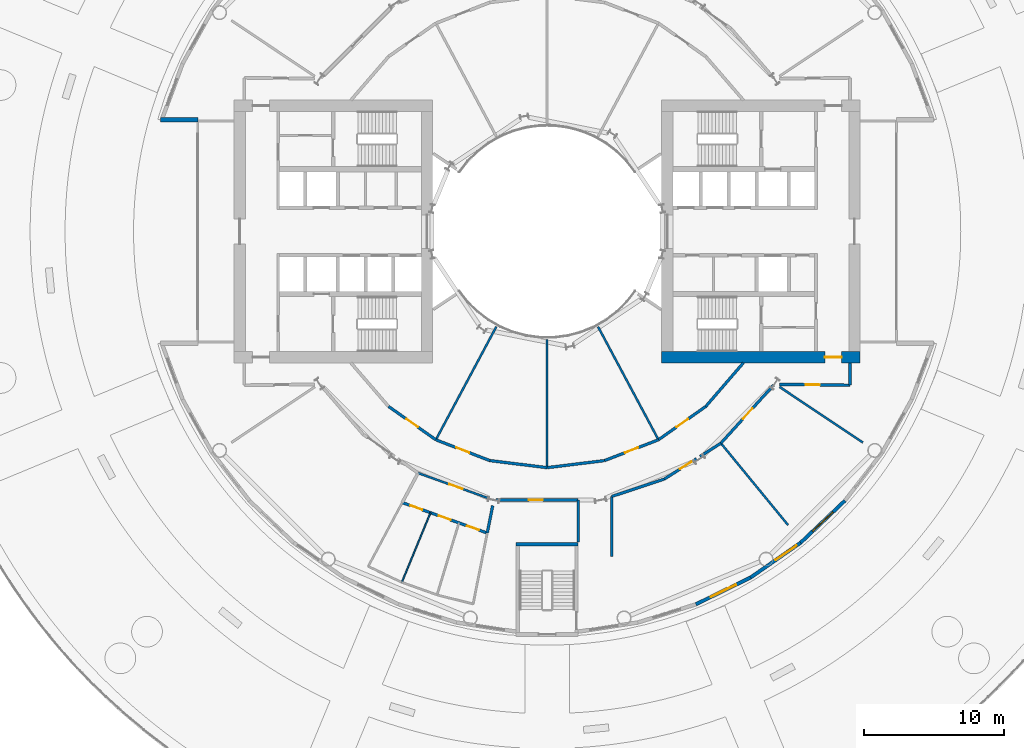
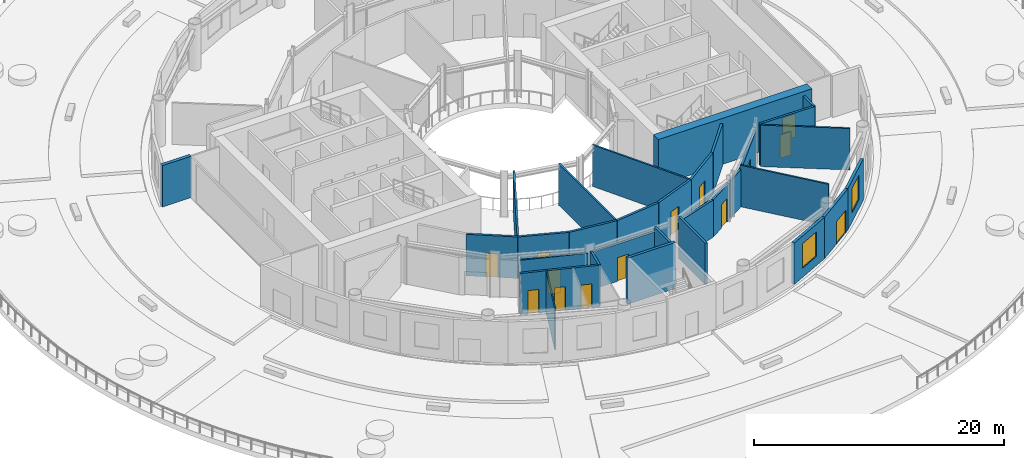
# One storey, part 11 of 19: 31 walls, 14 doors, 2 windows, 16 openings.
"""IFC4 building model written with IfcOpenShell, lengths in metres."""

from ifc_helpers import new_model, si_unit, direction, frame, frame_2d, origin, place, context, subcontext, project, spatial, rectangle, extrude, material, layer, layer_set, type_object, element, fill, save


model = new_model("IFC4")

# Units and contexts
model_context = context("Model", 3, precision=1e-05, world=origin(), true_north=direction((0.0, 1.0)))
body_context = subcontext(model_context, "Body", "Model", "MODEL_VIEW")
ifc_project = project(units=[si_unit("LENGTHUNIT", "METRE"), si_unit("AREAUNIT", "SQUARE_METRE"), si_unit("VOLUMEUNIT", "CUBIC_METRE"), si_unit("PLANEANGLEUNIT", "RADIAN"), si_unit("MASSUNIT", "GRAM", prefix="KILO")], contexts=[model_context])

# Site, building, storey
site_placement = place(None, origin())
site = spatial("IfcSite", under=ifc_project, at=site_placement, CompositionType="ELEMENT")
building_placement = place(site_placement, origin())
building = spatial("IfcBuilding", under=site, at=building_placement, Name="Maasbend Ring Residences", CompositionType="ELEMENT")
storey_placement = place(building_placement, frame((0.0, 0.0, 9.60009765625)))
storey = spatial("IfcBuildingStorey", under=building, at=storey_placement, Name="L02", CompositionType="ELEMENT", Elevation=9.60009765625)

# Wall
ifc_material_1 = material(Name="Concrete C70/85", Category="concrete")
ifc_layer_1 = layer(ifc_material_1, 0.25)
ifc_layer_set_1 = layer_set([ifc_layer_1], Name="Concrete C70/85")
wall_type_1 = type_object("IfcWallType", Name="CORE WALL 250 C70/85", PredefinedType="SHEAR", material=ifc_layer_set_1)
wall_1_placement = place(storey_placement, frame((-2.22509765625, -22.375, 0.0), z_axis=(0.0, 0.0, 1.0), x_axis=(1.0, 0.0, 0.0)))
element("IfcWall", 1, at=wall_1_placement, inside=storey, type_object=wall_type_1, Name="L02 ST-P3 enclosure wall WIN", PredefinedType="SHEAR", context=body_context, shape_type="SweptSolid", body=[
    extrude(rectangle(XDim=4.4501953125, YDim=0.25, at=frame_2d((2.22509765625, 0.0))), origin(), (0.0, 0.0, 1.0), 4.5),
])

# Wall, opening, door
ifc_material_2 = material(Name="Concrete C70/85", Category="concrete")
ifc_layer_2 = layer(ifc_material_2, 0.800048828125)
ifc_layer_set_2 = layer_set([ifc_layer_2], Name="Concrete C70/85")
wall_type_2 = type_object("IfcWallType", Name="CORE WALL 800 C70/85", PredefinedType="SHEAR", material=ifc_layer_set_2)
wall_2_placement = place(storey_placement, frame((8.199951171875, -9.0, 0.0), z_axis=(0.0, 0.0, 1.0), x_axis=(1.0, 0.0, 0.0)))
wall_2 = element("IfcWall", 2, at=wall_2_placement, inside=storey, type_object=wall_type_2, Name="L02 core E wall PS", PredefinedType="SHEAR", context=body_context, shape_type="SweptSolid", body=[
    extrude(rectangle(XDim=14.199951171875, YDim=0.800048828125, at=frame_2d((7.10009765625, 0.0))), origin(), (0.0, 0.0, 1.0), 4.5),
])
opening_1_placement = place(wall_2_placement, frame((11.675048828125, 0.0, 0.0)))
opening_1 = element("IfcOpeningElement", 3, at=opening_1_placement, cuts=wall_2, Name="Opening D-E0215", PredefinedType="OPENING", context=body_context, shape_type="SweptSolid", body=[
    extrude(rectangle(XDim=1.199951171875, YDim=2.300048828125, at=frame_2d((0.60009765625, 1.14990234375))), frame((0.0, 0.41015625, 0.0), z_axis=(0.0, -1.0, 0.0), x_axis=(1.0, 0.0, 0.0)), (0.0, 0.0, 1.0), 0.820068359375),
])
ifc_material_3 = material(Name="Steel, powder coated", Category="steel")
door_type_1 = type_object("IfcDoorType", Name="CORRIDOR DOOR 1200 X 2300 FD30S", OperationType="NOTDEFINED", PredefinedType="DOOR", material=ifc_material_3)
door_1_placement = place(opening_1_placement, origin())
door_1 = element("IfcDoor", 4, at=door_1_placement, inside=storey, type_object=door_type_1, Name="Corridor door L02", OperationType="SINGLE_SWING_LEFT", OverallHeight=2.300048828125, OverallWidth=1.199951171875, PredefinedType="DOOR", context=body_context, shape_type="SweptSolid", body=[
    extrude(rectangle(XDim=1.199951171875, YDim=2.300048828125, at=frame_2d((0.60009765625, 1.14990234375))), frame((0.0, 0.02490234375, 0.0), z_axis=(0.0, -1.0, 0.0), x_axis=(1.0, 0.0, 0.0)), (0.0, 0.0, 1.0), 0.050048828125),
])
fill(opening_1, door_1)

# Wall, openings, doors
ifc_material_4 = material(Name="Concrete C30/37", Category="concrete")
ifc_layer_3 = layer(ifc_material_4, 0.199951171875)
ifc_layer_set_3 = layer_set([ifc_layer_3], Name="Concrete C30/37")
wall_type_3 = type_object("IfcWallType", Name="CORRIDOR WALL 200 CONCRETE", PredefinedType="PARTITIONING", material=ifc_layer_set_3)
wall_3_placement = place(storey_placement, frame((-10.373046875, -19.40087890625, 0.0), z_axis=(0.0, 0.0, 1.0), x_axis=(0.941534771306, -0.336915826909, 0.0)))
wall_3 = element("IfcWall", 5, at=wall_3_placement, inside=storey, type_object=wall_type_3, Name="U-L02-w001", PredefinedType="PARTITIONING", context=body_context, shape_type="SweptSolid", body=[
    extrude(rectangle(XDim=6.458740234375, YDim=0.199951171875, at=frame_2d((3.2294921875, 0.0))), origin(), (0.0, 0.0, 1.0), 4.0498046875),
])
opening_2_placement = place(wall_3_placement, frame((0.626953125, 0.0, 0.0)))
opening_2 = element("IfcOpeningElement", 6, at=opening_2_placement, cuts=wall_3, Name="Opening D-0206", PredefinedType="OPENING", context=body_context, shape_type="SweptSolid", body=[
    extrude(rectangle(XDim=0.89990234375, YDim=2.300048828125, at=frame_2d((0.449951171875, 1.14990234375))), frame((0.0, 0.10986328125, 0.0), z_axis=(0.0, -1.0, 0.0), x_axis=(1.0, 0.0, 0.0)), (0.0, 0.0, 1.0), 0.219970703125),
])
opening_3_placement = place(wall_3_placement, frame((2.781005859375, 0.0, 0.0)))
opening_3 = element("IfcOpeningElement", 7, at=opening_3_placement, cuts=wall_3, Name="Opening D-0207", PredefinedType="OPENING", context=body_context, shape_type="SweptSolid", body=[
    extrude(rectangle(XDim=0.89990234375, YDim=2.300048828125, at=frame_2d((0.449951171875, 1.14990234375))), frame((0.0, 0.10986328125, 0.0), z_axis=(0.0, -1.0, 0.0), x_axis=(1.0, 0.0, 0.0)), (0.0, 0.0, 1.0), 0.219970703125),
])
opening_4_placement = place(wall_3_placement, frame((4.93310546875, 0.0, 0.0)))
opening_4 = element("IfcOpeningElement", 8, at=opening_4_placement, cuts=wall_3, Name="Opening D-0208", PredefinedType="OPENING", context=body_context, shape_type="SweptSolid", body=[
    extrude(rectangle(XDim=0.89990234375, YDim=2.300048828125, at=frame_2d((0.449951171875, 1.14990234375))), frame((0.0, 0.10986328125, 0.0), z_axis=(0.0, -1.0, 0.0), x_axis=(1.0, 0.0, 0.0)), (0.0, 0.0, 1.0), 0.219970703125),
])
ifc_material_5 = material(Name="Timber, painted", Category="wood")
door_type_2 = type_object("IfcDoorType", Name="INTERNAL DOOR 900 X 2300", OperationType="NOTDEFINED", PredefinedType="DOOR", material=ifc_material_5)
door_2_placement = place(opening_2_placement, origin())
door_2 = element("IfcDoor", 9, at=door_2_placement, inside=storey, type_object=door_type_2, Name="D-0206", OperationType="SINGLE_SWING_LEFT", OverallHeight=2.300048828125, OverallWidth=0.89990234375, PredefinedType="DOOR", context=body_context, shape_type="SweptSolid", body=[
    extrude(rectangle(XDim=0.89990234375, YDim=2.300048828125, at=frame_2d((0.449951171875, 1.14990234375))), frame((0.0, 0.02490234375, 0.0), z_axis=(0.0, -1.0, 0.0), x_axis=(1.0, 0.0, 0.0)), (0.0, 0.0, 1.0), 0.050048828125),
])
fill(opening_2, door_2)
door_3_placement = place(opening_3_placement, origin())
door_3 = element("IfcDoor", 10, at=door_3_placement, inside=storey, type_object=door_type_2, Name="D-0207", OperationType="SINGLE_SWING_RIGHT", OverallHeight=2.300048828125, OverallWidth=0.89990234375, PredefinedType="DOOR", context=body_context, shape_type="SweptSolid", body=[
    extrude(rectangle(XDim=0.89990234375, YDim=2.300048828125, at=frame_2d((0.449951171875, 1.14990234375))), frame((0.0, 0.02490234375, 0.0), z_axis=(0.0, -1.0, 0.0), x_axis=(1.0, 0.0, 0.0)), (0.0, 0.0, 1.0), 0.050048828125),
])
fill(opening_3, door_3)
door_4_placement = place(opening_4_placement, origin())
door_4 = element("IfcDoor", 11, at=door_4_placement, inside=storey, type_object=door_type_2, Name="D-0208", OperationType="SINGLE_SWING_RIGHT", OverallHeight=2.300048828125, OverallWidth=0.89990234375, PredefinedType="DOOR", context=body_context, shape_type="SweptSolid", body=[
    extrude(rectangle(XDim=0.89990234375, YDim=2.300048828125, at=frame_2d((0.449951171875, 1.14990234375))), frame((0.0, 0.02490234375, 0.0), z_axis=(0.0, -1.0, 0.0), x_axis=(1.0, 0.0, 0.0)), (0.0, 0.0, 1.0), 0.050048828125),
])
fill(opening_4, door_4)

# Walls
wall_4_placement = place(storey_placement, frame((21.675048828125, -11.0, 0.0), z_axis=(0.0, 0.0, 1.0), x_axis=(0.0, 1.0, 0.0)))
element("IfcWall", 12, at=wall_4_placement, inside=storey, type_object=wall_type_3, Name="U-L02-w002", PredefinedType="PARTITIONING", context=body_context, shape_type="SweptSolid", body=[
    extrude(rectangle(XDim=1.60009765625, YDim=0.199951171875, at=frame_2d((0.800048828125, 0.0))), origin(), (0.0, 0.0, 1.0), 4.0498046875),
])
wall_5_placement = place(storey_placement, frame((4.625, -18.9580078125, 0.0), z_axis=(0.0, 0.0, 1.0), x_axis=(0.949562483826, 0.313577883963, 0.0)))
element("IfcWall", 13, at=wall_5_placement, inside=storey, type_object=wall_type_3, Name="U-L02-w007", PredefinedType="PARTITIONING", context=body_context, shape_type="SweptSolid", body=[
    extrude(rectangle(XDim=3.954345703125, YDim=0.199951171875, at=frame_2d((1.97705078125, 0.0))), origin(), (0.0, 0.0, 1.0), 3.6298828125),
])

# Wall, opening, door
wall_6_placement = place(storey_placement, frame((8.3798828125, -17.718017578125, 0.0), z_axis=(0.0, 0.0, 1.0), x_axis=(0.844806925432, 0.535071265106, 0.0)))
wall_6 = element("IfcWall", 14, at=wall_6_placement, inside=storey, type_object=wall_type_3, Name="U-L02-w008", PredefinedType="PARTITIONING", context=body_context, shape_type="SweptSolid", body=[
    extrude(rectangle(XDim=2.724853515625, YDim=0.199951171875, at=frame_2d((1.3623046875, 0.0))), origin(), (0.0, 0.0, 1.0), 3.6298828125),
])
opening_5_placement = place(wall_6_placement, frame((1.35009765625, 0.0, 0.0)))
opening_5 = element("IfcOpeningElement", 15, at=opening_5_placement, cuts=wall_6, Name="Opening D-0218", PredefinedType="OPENING", context=body_context, shape_type="SweptSolid", body=[
    extrude(rectangle(XDim=1.0, YDim=2.300048828125, at=frame_2d((0.5, 1.14990234375))), frame((0.0, 0.10986328125, 0.0), z_axis=(0.0, -1.0, 0.0), x_axis=(1.0, 0.0, 0.0)), (0.0, 0.0, 1.0), 0.219970703125),
])
ifc_material_6 = material(Name="Timber, painted", Category="wood")
door_type_3 = type_object("IfcDoorType", Name="ROOM DOOR 1000 X 2300", OperationType="NOTDEFINED", PredefinedType="DOOR", material=ifc_material_6)
door_5_placement = place(opening_5_placement, origin())
door_5 = element("IfcDoor", 16, at=door_5_placement, inside=storey, type_object=door_type_3, Name="D-0218", OperationType="SINGLE_SWING_RIGHT", OverallHeight=2.300048828125, OverallWidth=1.0, PredefinedType="DOOR", context=body_context, shape_type="SweptSolid", body=[
    extrude(rectangle(XDim=1.0, YDim=2.300048828125, at=frame_2d((0.5, 1.14990234375))), frame((0.0, 0.02490234375, 0.0), z_axis=(0.0, -1.0, 0.0), x_axis=(1.0, 0.0, 0.0)), (0.0, 0.0, 1.0), 0.050048828125),
])
fill(opening_5, door_5)

# Wall
wall_7_placement = place(storey_placement, frame((10.93896484375, -16.097900390625, 0.0), z_axis=(0.0, 0.0, 1.0), x_axis=(0.844789975167, 0.5350980264, 0.0)))
element("IfcWall", 17, at=wall_7_placement, inside=storey, type_object=wall_type_3, Name="U-L02-w009", PredefinedType="PARTITIONING", context=body_context, shape_type="SweptSolid", body=[
    extrude(rectangle(XDim=1.769775390625, YDim=0.199951171875, at=frame_2d((0.884765625, 0.0))), origin(), (0.0, 0.0, 1.0), 3.6298828125),
])

# Wall, opening, door
wall_8_placement = place(storey_placement, frame((12.43408203125, -15.15087890625, 0.0), z_axis=(0.0, 0.0, 1.0), x_axis=(0.671610704694, 0.740904218736, 0.0)))
wall_8 = element("IfcWall", 18, at=wall_8_placement, inside=storey, type_object=wall_type_3, Name="U-L02-w011", PredefinedType="PARTITIONING", context=body_context, shape_type="SweptSolid", body=[
    extrude(rectangle(XDim=5.598388671875, YDim=0.199951171875, at=frame_2d((2.79931640625, 0.0))), origin(), (0.0, 0.0, 1.0), 3.6298828125),
])
opening_6_placement = place(wall_8_placement, frame((2.345947265625, 0.0, 0.0)))
opening_6 = element("IfcOpeningElement", 19, at=opening_6_placement, cuts=wall_8, Name="Opening D-0219", PredefinedType="OPENING", context=body_context, shape_type="SweptSolid", body=[
    extrude(rectangle(XDim=1.0, YDim=2.300048828125, at=frame_2d((0.5, 1.14990234375))), frame((0.0, 0.10986328125, 0.0), z_axis=(0.0, -1.0, 0.0), x_axis=(1.0, 0.0, 0.0)), (0.0, 0.0, 1.0), 0.219970703125),
])
door_6_placement = place(opening_6_placement, origin())
door_6 = element("IfcDoor", 20, at=door_6_placement, inside=storey, type_object=door_type_3, Name="D-0219", OperationType="SINGLE_SWING_RIGHT", OverallHeight=2.300048828125, OverallWidth=1.0, PredefinedType="DOOR", context=body_context, shape_type="SweptSolid", body=[
    extrude(rectangle(XDim=1.0, YDim=2.300048828125, at=frame_2d((0.5, 1.14990234375))), frame((0.0, 0.02490234375, 0.0), z_axis=(0.0, -1.0, 0.0), x_axis=(1.0, 0.0, 0.0)), (0.0, 0.0, 1.0), 0.050048828125),
])
fill(opening_6, door_6)

wall_9_placement = place(storey_placement, frame((-3.6689453125, -19.222900390625, 0.0), z_axis=(0.0, 0.0, 1.0), x_axis=(1.0, 0.0, 0.0)))
wall_9 = element("IfcWall", 21, at=wall_9_placement, inside=storey, type_object=wall_type_3, Name="U-L02-w012", PredefinedType="PARTITIONING", context=body_context, shape_type="SweptSolid", body=[
    extrude(rectangle(XDim=5.89404296875, YDim=0.199951171875, at=frame_2d((2.947021484375, 0.0))), origin(), (0.0, 0.0, 1.0), 3.6298828125),
])
opening_7_placement = place(wall_9_placement, frame((2.368896484375, 0.0, 0.0)))
opening_7 = element("IfcOpeningElement", 22, at=opening_7_placement, cuts=wall_9, Name="Opening D-0217", PredefinedType="OPENING", context=body_context, shape_type="SweptSolid", body=[
    extrude(rectangle(XDim=1.0, YDim=2.300048828125, at=frame_2d((0.5, 1.14990234375))), frame((0.0, 0.10986328125, 0.0), z_axis=(0.0, -1.0, 0.0), x_axis=(1.0, 0.0, 0.0)), (0.0, 0.0, 1.0), 0.219970703125),
])
door_7_placement = place(opening_7_placement, origin())
door_7 = element("IfcDoor", 23, at=door_7_placement, inside=storey, type_object=door_type_3, Name="D-0217", OperationType="SINGLE_SWING_LEFT", OverallHeight=2.300048828125, OverallWidth=1.0, PredefinedType="DOOR", context=body_context, shape_type="SweptSolid", body=[
    extrude(rectangle(XDim=1.0, YDim=2.300048828125, at=frame_2d((0.5, 1.14990234375))), frame((0.0, 0.02490234375, 0.0), z_axis=(0.0, -1.0, 0.0), x_axis=(1.0, 0.0, 0.0)), (0.0, 0.0, 1.0), 0.050048828125),
])
fill(opening_7, door_7)

wall_10_placement = place(storey_placement, frame((-11.34912109375, -12.52197265625, 0.0), z_axis=(0.0, 0.0, 1.0), x_axis=(0.817567680547, -0.575832517079, 0.0)))
wall_10 = element("IfcWall", 24, at=wall_10_placement, inside=storey, type_object=wall_type_3, Name="U-L02-w014", PredefinedType="PARTITIONING", context=body_context, shape_type="SweptSolid", body=[
    extrude(rectangle(XDim=4.13671875, YDim=0.199951171875, at=frame_2d((2.068359375, 0.0))), origin(), (0.0, 0.0, 1.0), 4.0498046875),
])
opening_8_placement = place(wall_10_placement, frame((1.568115234375, 0.0, 0.0)))
opening_8 = element("IfcOpeningElement", 25, at=opening_8_placement, cuts=wall_10, Name="Opening D-0220", PredefinedType="OPENING", context=body_context, shape_type="SweptSolid", body=[
    extrude(rectangle(XDim=1.0, YDim=2.300048828125, at=frame_2d((0.5, 1.14990234375))), frame((0.0, 0.10986328125, 0.0), z_axis=(0.0, -1.0, 0.0), x_axis=(1.0, 0.0, 0.0)), (0.0, 0.0, 1.0), 0.219970703125),
])
door_8_placement = place(opening_8_placement, origin())
door_8 = element("IfcDoor", 26, at=door_8_placement, inside=storey, type_object=door_type_3, Name="D-0220", OperationType="SINGLE_SWING_RIGHT", OverallHeight=2.300048828125, OverallWidth=1.0, PredefinedType="DOOR", context=body_context, shape_type="SweptSolid", body=[
    extrude(rectangle(XDim=1.0, YDim=2.300048828125, at=frame_2d((0.5, 1.14990234375))), frame((0.0, 0.02490234375, 0.0), z_axis=(0.0, -1.0, 0.0), x_axis=(1.0, 0.0, 0.0)), (0.0, 0.0, 1.0), 0.050048828125),
])
fill(opening_8, door_8)

wall_11_placement = place(storey_placement, frame((-7.967041015625, -14.904052734375, 0.0), z_axis=(0.0, 0.0, 1.0), x_axis=(0.932943640288, -0.360022449363, 0.0)))
wall_11 = element("IfcWall", 27, at=wall_11_placement, inside=storey, type_object=wall_type_3, Name="U-L02-w015", PredefinedType="PARTITIONING", context=body_context, shape_type="SweptSolid", body=[
    extrude(rectangle(XDim=4.138671875, YDim=0.199951171875, at=frame_2d((2.0693359375, 0.0))), origin(), (0.0, 0.0, 1.0), 4.0498046875),
])
opening_9_placement = place(wall_11_placement, frame((1.569091796875, 0.0, 0.0)))
opening_9 = element("IfcOpeningElement", 28, at=opening_9_placement, cuts=wall_11, Name="Opening D-0221", PredefinedType="OPENING", context=body_context, shape_type="SweptSolid", body=[
    extrude(rectangle(XDim=1.0, YDim=2.300048828125, at=frame_2d((0.5, 1.14990234375))), frame((0.0, 0.10986328125, 0.0), z_axis=(0.0, -1.0, 0.0), x_axis=(1.0, 0.0, 0.0)), (0.0, 0.0, 1.0), 0.219970703125),
])
door_9_placement = place(opening_9_placement, origin())
door_9 = element("IfcDoor", 29, at=door_9_placement, inside=storey, type_object=door_type_3, Name="D-0221", OperationType="SINGLE_SWING_LEFT", OverallHeight=2.300048828125, OverallWidth=1.0, PredefinedType="DOOR", context=body_context, shape_type="SweptSolid", body=[
    extrude(rectangle(XDim=1.0, YDim=2.300048828125, at=frame_2d((0.5, 1.14990234375))), frame((0.0, 0.02490234375, 0.0), z_axis=(0.0, -1.0, 0.0), x_axis=(1.0, 0.0, 0.0)), (0.0, 0.0, 1.0), 0.050048828125),
])
fill(opening_9, door_9)

# Walls
for number, where, z_axis, x_axis, name in (
    (30, (-4.10595703125, -16.39404296875, 0.0), (0.0, 0.0, 1.0), (0.992496033272, -0.122276833211, 0.0), "U-L02-w016"),
    (31, (0.0, -16.89990234375, 0.0), (0.0, 0.0, 1.0), (0.992496033272, 0.122276833211, 0.0), "U-L02-w017"),
):
    element("IfcWall", number, at=place(storey_placement, frame(where, z_axis=z_axis, x_axis=x_axis)), inside=storey, type_object=wall_type_3, Name=name, PredefinedType="PARTITIONING", context=body_context, shape_type="SweptSolid", body=[
        extrude(rectangle(XDim=4.136962890625, YDim=0.199951171875, at=frame_2d((2.068359375, 0.0))), origin(), (0.0, 0.0, 1.0), 4.0498046875),
    ])

# Wall, opening, door
wall_12_placement = place(storey_placement, frame((4.10595703125, -16.39404296875, 0.0), z_axis=(0.0, 0.0, 1.0), x_axis=(0.932943640288, 0.360022449363, 0.0)))
wall_12 = element("IfcWall", 32, at=wall_12_placement, inside=storey, type_object=wall_type_3, Name="U-L02-w018", PredefinedType="PARTITIONING", context=body_context, shape_type="SweptSolid", body=[
    extrude(rectangle(XDim=4.138671875, YDim=0.199951171875, at=frame_2d((2.0693359375, 0.0))), origin(), (0.0, 0.0, 1.0), 4.0498046875),
])
opening_10_placement = place(wall_12_placement, frame((1.569091796875, 0.0, 0.0)))
opening_10 = element("IfcOpeningElement", 33, at=opening_10_placement, cuts=wall_12, Name="Opening D-0222", PredefinedType="OPENING", context=body_context, shape_type="SweptSolid", body=[
    extrude(rectangle(XDim=1.0, YDim=2.300048828125, at=frame_2d((0.5, 1.14990234375))), frame((0.0, 0.10986328125, 0.0), z_axis=(0.0, -1.0, 0.0), x_axis=(1.0, 0.0, 0.0)), (0.0, 0.0, 1.0), 0.219970703125),
])
door_10_placement = place(opening_10_placement, origin())
door_10 = element("IfcDoor", 34, at=door_10_placement, inside=storey, type_object=door_type_3, Name="D-0222", OperationType="SINGLE_SWING_RIGHT", OverallHeight=2.300048828125, OverallWidth=1.0, PredefinedType="DOOR", context=body_context, shape_type="SweptSolid", body=[
    extrude(rectangle(XDim=1.0, YDim=2.300048828125, at=frame_2d((0.5, 1.14990234375))), frame((0.0, 0.02490234375, 0.0), z_axis=(0.0, -1.0, 0.0), x_axis=(1.0, 0.0, 0.0)), (0.0, 0.0, 1.0), 0.050048828125),
])
fill(opening_10, door_10)

wall_13_placement = place(storey_placement, frame((7.967041015625, -14.904052734375, 0.0), z_axis=(0.0, 0.0, 1.0), x_axis=(0.817567680547, 0.575832517079, 0.0)))
wall_13 = element("IfcWall", 35, at=wall_13_placement, inside=storey, type_object=wall_type_3, Name="U-L02-w019", PredefinedType="PARTITIONING", context=body_context, shape_type="SweptSolid", body=[
    extrude(rectangle(XDim=4.13671875, YDim=0.199951171875, at=frame_2d((2.068359375, 0.0))), origin(), (0.0, 0.0, 1.0), 4.0498046875),
])
opening_11_placement = place(wall_13_placement, frame((1.568115234375, 0.0, 0.0)))
opening_11 = element("IfcOpeningElement", 36, at=opening_11_placement, cuts=wall_13, Name="Opening D-0223", PredefinedType="OPENING", context=body_context, shape_type="SweptSolid", body=[
    extrude(rectangle(XDim=1.0, YDim=2.300048828125, at=frame_2d((0.5, 1.14990234375))), frame((0.0, 0.10986328125, 0.0), z_axis=(0.0, -1.0, 0.0), x_axis=(1.0, 0.0, 0.0)), (0.0, 0.0, 1.0), 0.219970703125),
])
door_11_placement = place(opening_11_placement, origin())
door_11 = element("IfcDoor", 37, at=door_11_placement, inside=storey, type_object=door_type_3, Name="D-0223", OperationType="SINGLE_SWING_RIGHT", OverallHeight=2.300048828125, OverallWidth=1.0, PredefinedType="DOOR", context=body_context, shape_type="SweptSolid", body=[
    extrude(rectangle(XDim=1.0, YDim=2.300048828125, at=frame_2d((0.5, 1.14990234375))), frame((0.0, 0.02490234375, 0.0), z_axis=(0.0, -1.0, 0.0), x_axis=(1.0, 0.0, 0.0)), (0.0, 0.0, 1.0), 0.050048828125),
])
fill(opening_11, door_11)

# Wall
wall_14_placement = place(storey_placement, frame((11.34912109375, -12.52197265625, 0.0), z_axis=(0.0, 0.0, 1.0), x_axis=(0.653274518104, 0.757121129012, 0.0)))
element("IfcWall", 38, at=wall_14_placement, inside=storey, type_object=wall_type_3, Name="U-L02-w020", PredefinedType="PARTITIONING", context=body_context, shape_type="SweptSolid", body=[
    extrude(rectangle(XDim=4.12353515625, YDim=0.199951171875, at=frame_2d((2.061767578125, 0.0))), origin(), (0.0, 0.0, 1.0), 4.0498046875),
])

# Wall, opening, door
wall_15_placement = place(storey_placement, frame((16.64306640625, -10.93798828125, 0.0), z_axis=(0.0, 0.0, 1.0), x_axis=(0.999924074118, -0.012322580895, 0.0)))
wall_15 = element("IfcWall", 39, at=wall_15_placement, inside=storey, type_object=wall_type_3, Name="U-L02-w022", PredefinedType="PARTITIONING", context=body_context, shape_type="SweptSolid", body=[
    extrude(rectangle(XDim=5.032470703125, YDim=0.199951171875, at=frame_2d((2.51611328125, 0.0))), origin(), (0.0, 0.0, 1.0), 4.0498046875),
])
opening_12_placement = place(wall_15_placement, frame((1.8779296875, 0.0, 0.0)))
opening_12 = element("IfcOpeningElement", 40, at=opening_12_placement, cuts=wall_15, Name="Opening D-0226", PredefinedType="OPENING", context=body_context, shape_type="SweptSolid", body=[
    extrude(rectangle(XDim=1.0, YDim=2.300048828125, at=frame_2d((0.5, 1.14990234375))), frame((0.0, 0.10986328125, 0.0), z_axis=(0.0, -1.0, 0.0), x_axis=(1.0, 0.0, 0.0)), (0.0, 0.0, 1.0), 0.219970703125),
])
door_12_placement = place(opening_12_placement, origin())
door_12 = element("IfcDoor", 41, at=door_12_placement, inside=storey, type_object=door_type_3, Name="D-0226", OperationType="SINGLE_SWING_LEFT", OverallHeight=2.300048828125, OverallWidth=1.0, PredefinedType="DOOR", context=body_context, shape_type="SweptSolid", body=[
    extrude(rectangle(XDim=1.0, YDim=2.300048828125, at=frame_2d((0.5, 1.14990234375))), frame((0.0, 0.02490234375, 0.0), z_axis=(0.0, -1.0, 0.0), x_axis=(1.0, 0.0, 0.0)), (0.0, 0.0, 1.0), 0.050048828125),
])
fill(opening_12, door_12)

# Walls
wall_16_placement = place(storey_placement, frame((4.625, -23.25, 0.0), z_axis=(0.0, 0.0, 1.0), x_axis=(0.0, 1.0, 0.0)))
element("IfcWall", 42, at=wall_16_placement, inside=storey, type_object=wall_type_3, Name="U-L02-w023", PredefinedType="PARTITIONING", context=body_context, shape_type="SweptSolid", body=[
    extrude(rectangle(XDim=4.2919921875, YDim=0.199951171875, at=frame_2d((2.14599609375, 0.0))), origin(), (0.0, 0.0, 1.0), 4.0498046875),
])
wall_17_placement = place(storey_placement, frame((2.22509765625, -22.22998046875, 0.0), z_axis=(0.0, 0.0, 1.0), x_axis=(0.0, 1.0, 0.0)))
element("IfcWall", 43, at=wall_17_placement, inside=storey, type_object=wall_type_3, Name="U-L02-w024", PredefinedType="PARTITIONING", context=body_context, shape_type="SweptSolid", body=[
    extrude(rectangle(XDim=3.007080078125, YDim=0.199951171875, at=frame_2d((1.50341796875, 0.0))), origin(), (0.0, 0.0, 1.0), 4.0498046875),
])
wall_18_placement = place(storey_placement, frame((-4.2880859375, -21.577880859375, 0.0), z_axis=(0.0, 0.0, 1.0), x_axis=(0.195244514504, 0.98075459701, 0.0)))
element("IfcWall", 44, at=wall_18_placement, inside=storey, type_object=wall_type_3, Name="U-L02-w036", PredefinedType="PARTITIONING", context=body_context, shape_type="SweptSolid", body=[
    extrude(rectangle(XDim=1.9931640625, YDim=0.199951171875, at=frame_2d((0.99658203125, 0.0))), origin(), (0.0, 0.0, 1.0), 4.0498046875),
])

# Wall, opening, window
ifc_material_7 = material(Name="Aluminium clad insulated panel", Category="aluminium")
ifc_layer_4 = layer(ifc_material_7, 0.25)
ifc_layer_set_4 = layer_set([ifc_layer_4], Name="EW-GL")
wall_type_4 = type_object("IfcWallType", Name="EW-GL", PredefinedType="SOLIDWALL", material=ifc_layer_set_4)
wall_19_placement = place(storey_placement, frame((10.64892578125, -26.677978515625, 0.0), z_axis=(0.0, 0.0, 1.0), x_axis=(0.897938079481, 0.440121807478, 0.0)))
wall_19 = element("IfcWall", 45, at=wall_19_placement, inside=storey, type_object=wall_type_4, Name="Community floor wall 29", PredefinedType="SOLIDWALL", context=body_context, shape_type="SweptSolid", body=[
    extrude(rectangle(XDim=4.360107421875, YDim=0.25, at=frame_2d((2.18017578125, 0.0))), origin(), (0.0, 0.0, 1.0), 4.0498046875),
])
opening_13_placement = place(wall_19_placement, frame((1.179931640625, 0.0, 0.89990234375)))
opening_13 = element("IfcOpeningElement", 46, at=opening_13_placement, cuts=wall_19, Name="Opening W-BD", PredefinedType="OPENING", context=body_context, shape_type="SweptSolid", body=[
    extrude(rectangle(XDim=2.0, YDim=2.39990234375, at=frame_2d((1.0, 1.199951171875))), frame((0.0, 0.135009765625, 0.0), z_axis=(0.0, -1.0, 0.0), x_axis=(1.0, 0.0, 0.0)), (0.0, 0.0, 1.0), 0.27001953125),
])
ifc_material_8 = material(Name="Aluminium and clear glass", Category="aluminium")
window_type = type_object("IfcWindowType", Name="W-BD", PartitioningType="DOUBLE_PANEL_VERTICAL", PredefinedType="WINDOW", material=ifc_material_8)
window_1_placement = place(opening_13_placement, origin())
window_1 = element("IfcWindow", 47, at=window_1_placement, inside=storey, type_object=window_type, Name="Community floor window 29", OverallHeight=2.39990234375, OverallWidth=2.0, PartitioningType="SINGLE_PANEL", PredefinedType="WINDOW", context=body_context, shape_type="SweptSolid", body=[
    extrude(rectangle(XDim=2.0, YDim=2.39990234375, at=frame_2d((1.0, 1.199951171875))), frame((0.0, 0.030029296875, 0.0), z_axis=(0.0, -1.0, 0.0), x_axis=(1.0, 0.0, 0.0)), (0.0, 0.0, 1.0), 0.06005859375),
])
fill(opening_13, window_1)

# Wall, opening, door
wall_20_placement = place(storey_placement, frame((14.56396484375, -24.759033203125, 0.0), z_axis=(0.0, 0.0, 1.0), x_axis=(0.820990800869, 0.57094141984, 0.0)))
wall_20 = element("IfcWall", 48, at=wall_20_placement, inside=storey, type_object=wall_type_4, Name="Community floor wall 30", PredefinedType="SOLIDWALL", context=body_context, shape_type="SweptSolid", body=[
    extrude(rectangle(XDim=4.359375, YDim=0.25, at=frame_2d((2.1796875, 0.0))), origin(), (0.0, 0.0, 1.0), 4.0498046875),
])
opening_14_placement = place(wall_20_placement, frame((2.1826171875, 0.0, 0.0)))
opening_14 = element("IfcOpeningElement", 49, at=opening_14_placement, cuts=wall_20, Name="Opening D-DK", PredefinedType="OPENING", context=body_context, shape_type="SweptSolid", body=[
    extrude(rectangle(XDim=1.800048828125, YDim=2.199951171875, at=frame_2d((0.89990234375, 1.10009765625))), frame((0.0, 0.135009765625, 0.0), z_axis=(0.0, -1.0, 0.0), x_axis=(1.0, 0.0, 0.0)), (0.0, 0.0, 1.0), 0.27001953125),
])
ifc_material_9 = material(Name="Aluminium and clear glass", Category="aluminium")
door_type_4 = type_object("IfcDoorType", Name="D-DK", OperationType="DOUBLE_DOOR_SINGLE_SWING", PredefinedType="DOOR", material=ifc_material_9)
door_13_placement = place(opening_14_placement, origin())
door_13 = element("IfcDoor", 50, at=door_13_placement, inside=storey, type_object=door_type_4, Name="Deck door 30", OperationType="SINGLE_SWING_LEFT", OverallHeight=2.199951171875, OverallWidth=1.800048828125, PredefinedType="DOOR", context=body_context, shape_type="SweptSolid", body=[
    extrude(rectangle(XDim=1.800048828125, YDim=2.199951171875, at=frame_2d((0.89990234375, 1.10009765625))), frame((0.0, 0.02490234375, 0.0), z_axis=(0.0, -1.0, 0.0), x_axis=(1.0, 0.0, 0.0)), (0.0, 0.0, 1.0), 0.050048828125),
])
fill(opening_14, door_13)

# Wall, opening, window
wall_21_placement = place(storey_placement, frame((18.14306640625, -22.27001953125, 0.0), z_axis=(0.0, 0.0, 1.0), x_axis=(0.725101501119, 0.68864200647, 0.0)))
wall_21 = element("IfcWall", 51, at=wall_21_placement, inside=storey, type_object=wall_type_4, Name="Community floor wall 31", PredefinedType="SOLIDWALL", context=body_context, shape_type="SweptSolid", body=[
    extrude(rectangle(XDim=4.359130859375, YDim=0.25, at=frame_2d((2.1796875, 0.0))), origin(), (0.0, 0.0, 1.0), 4.0498046875),
])
opening_15_placement = place(wall_21_placement, frame((1.179931640625, 0.0, 0.89990234375)))
opening_15 = element("IfcOpeningElement", 52, at=opening_15_placement, cuts=wall_21, Name="Opening W-BD", PredefinedType="OPENING", context=body_context, shape_type="SweptSolid", body=[
    extrude(rectangle(XDim=2.0, YDim=2.39990234375, at=frame_2d((1.0, 1.199951171875))), frame((0.0, 0.135009765625, 0.0), z_axis=(0.0, -1.0, 0.0), x_axis=(1.0, 0.0, 0.0)), (0.0, 0.0, 1.0), 0.27001953125),
])
window_2_placement = place(opening_15_placement, origin())
window_2 = element("IfcWindow", 53, at=window_2_placement, inside=storey, type_object=window_type, Name="Community floor window 31", OverallHeight=2.39990234375, OverallWidth=2.0, PartitioningType="SINGLE_PANEL", PredefinedType="WINDOW", context=body_context, shape_type="SweptSolid", body=[
    extrude(rectangle(XDim=2.0, YDim=2.39990234375, at=frame_2d((1.0, 1.199951171875))), frame((0.0, 0.030029296875, 0.0), z_axis=(0.0, -1.0, 0.0), x_axis=(1.0, 0.0, 0.0)), (0.0, 0.0, 1.0), 0.06005859375),
])
fill(opening_15, window_2)

# Walls
ifc_material_10 = material(Name="Aluminium clad insulated panel", Category="aluminium")
ifc_layer_5 = layer(ifc_material_10, 0.300048828125)
ifc_layer_set_5 = layer_set([ifc_layer_5], Name="EW-RET")
wall_type_5 = type_object("IfcWallType", Name="EW-RET", PredefinedType="SOLIDWALL", material=ifc_layer_set_5)
wall_22_placement = place(storey_placement, frame((-25.0, 8.0, 0.0), z_axis=(0.0, 0.0, 1.0), x_axis=(-1.0, 0.0, 0.0)))
element("IfcWall", 54, at=wall_22_placement, inside=storey, type_object=wall_type_5, Name="Notch return wall west north", PredefinedType="SOLIDWALL", context=body_context, shape_type="SweptSolid", body=[
    extrude(rectangle(XDim=2.6669921875, YDim=0.300048828125, at=frame_2d((1.33349609375, 0.0))), origin(), (0.0, 0.0, 1.0), 4.0498046875),
])
ifc_material_11 = material(Name="Gypsum board on steel studs", Category="steel")
ifc_layer_6 = layer(ifc_material_11, 0.10009765625)
ifc_layer_set_6 = layer_set([ifc_layer_6], Name="PARTITION 100 GYPSUM")
wall_type_6 = type_object("IfcWallType", Name="PARTITION 100 GYPSUM", PredefinedType="PARTITIONING", material=ifc_layer_set_6)
wall_23_placement = place(storey_placement, frame((-10.406982421875, -25.10302734375, 0.0), z_axis=(0.0, 0.0, 1.0), x_axis=(0.382973519041, 0.923759321313, 0.0)))
element("IfcWall", 55, at=wall_23_placement, inside=storey, type_object=wall_type_6, Name="U-L02-w030", PredefinedType="PARTITIONING", context=body_context, shape_type="SweptSolid", body=[
    extrude(rectangle(XDim=5.38671875, YDim=0.10009765625, at=frame_2d((2.693359375, 0.0))), origin(), (0.0, 0.0, 1.0), 4.0498046875),
])

# Wall, opening, door
ifc_material_12 = material(Name="Gypsum board on steel studs", Category="steel")
ifc_layer_7 = layer(ifc_material_12, 0.14990234375)
ifc_layer_set_7 = layer_set([ifc_layer_7], Name="PARTITION 150 GYPSUM")
wall_type_7 = type_object("IfcWallType", Name="PARTITION 150 GYPSUM", PredefinedType="PARTITIONING", material=ifc_layer_set_7)
wall_24_placement = place(storey_placement, frame((-9.239013671875, -17.285888671875, 0.0), z_axis=(0.0, 0.0, 1.0), x_axis=(0.941530584678, -0.336927526504, 0.0)))
wall_24 = element("IfcWall", 56, at=wall_24_placement, inside=storey, type_object=wall_type_7, Name="U-L02-w010", PredefinedType="PARTITIONING", context=body_context, shape_type="SweptSolid", body=[
    extrude(rectangle(XDim=5.598388671875, YDim=0.14990234375, at=frame_2d((2.79931640625, 0.0))), origin(), (0.0, 0.0, 1.0), 3.6298828125),
])
opening_16_placement = place(wall_24_placement, frame((2.3759765625, 0.0, 0.0)))
opening_16 = element("IfcOpeningElement", 57, at=opening_16_placement, cuts=wall_24, Name="Opening D-0205", PredefinedType="OPENING", context=body_context, shape_type="SweptSolid", body=[
    extrude(rectangle(XDim=1.0, YDim=2.300048828125, at=frame_2d((0.5, 1.14990234375))), frame((0.0, 0.0849609375, 0.0), z_axis=(0.0, -1.0, 0.0), x_axis=(1.0, 0.0, 0.0)), (0.0, 0.0, 1.0), 0.169921875),
])
door_14_placement = place(opening_16_placement, origin())
door_14 = element("IfcDoor", 58, at=door_14_placement, inside=storey, type_object=door_type_3, Name="D-0205", OperationType="SINGLE_SWING_RIGHT", OverallHeight=2.300048828125, OverallWidth=1.0, PredefinedType="DOOR", context=body_context, shape_type="SweptSolid", body=[
    extrude(rectangle(XDim=1.0, YDim=2.300048828125, at=frame_2d((0.5, 1.14990234375))), frame((0.0, 0.02490234375, 0.0), z_axis=(0.0, -1.0, 0.0), x_axis=(1.0, 0.0, 0.0)), (0.0, 0.0, 1.0), 0.050048828125),
])
fill(opening_16, door_14)

# Walls
wall_25_placement = place(storey_placement, frame((-7.966064453125, -14.905029296875, 0.0), z_axis=(0.0, 0.0, 1.0), x_axis=(0.471460365694, 0.881887251059, 0.0)))
element("IfcWall", 59, at=wall_25_placement, inside=storey, type_object=wall_type_7, Name="U-L02-w033", PredefinedType="PARTITIONING", context=body_context, shape_type="SweptSolid", body=[
    extrude(rectangle(XDim=9.18017578125, YDim=0.14990234375, at=frame_2d((4.590087890625, 0.0))), origin(), (0.0, 0.0, 1.0), 4.0498046875),
])
wall_26_placement = place(storey_placement, frame((0.0, -16.89990234375, 0.0), z_axis=(0.0, 0.0, 1.0), x_axis=(0.0, 1.0, 0.0)))
element("IfcWall", 60, at=wall_26_placement, inside=storey, type_object=wall_type_7, Name="U-L02-w037", PredefinedType="PARTITIONING", context=body_context, shape_type="SweptSolid", body=[
    extrude(rectangle(XDim=9.179931640625, YDim=0.14990234375, at=frame_2d((4.58984375, 0.0))), origin(), (0.0, 0.0, 1.0), 4.0498046875),
])
wall_27_placement = place(storey_placement, frame((3.638916015625, -6.80810546875, 0.0), z_axis=(0.0, 0.0, 1.0), x_axis=(0.471460365694, -0.881887251059, 0.0)))
element("IfcWall", 61, at=wall_27_placement, inside=storey, type_object=wall_type_7, Name="U-L02-w039", PredefinedType="PARTITIONING", context=body_context, shape_type="SweptSolid", body=[
    extrude(rectangle(XDim=9.18017578125, YDim=0.14990234375, at=frame_2d((4.590087890625, 0.0))), origin(), (0.0, 0.0, 1.0), 4.0498046875),
])
wall_28_placement = place(storey_placement, frame((12.43408203125, -15.15087890625, 0.0), z_axis=(0.0, 0.0, 1.0), x_axis=(0.634381303318, -0.773020285633, 0.0)))
element("IfcWall", 62, at=wall_28_placement, inside=storey, type_object=wall_type_7, Name="U-L02-w047", PredefinedType="PARTITIONING", context=body_context, shape_type="SweptSolid", body=[
    extrude(rectangle(XDim=7.57568359375, YDim=0.14990234375, at=frame_2d((3.787841796875, 0.0))), origin(), (0.0, 0.0, 1.0), 4.0498046875),
])
wall_29_placement = place(storey_placement, frame((16.633056640625, -11.117919921875, 0.0), z_axis=(0.0, 0.0, 1.0), x_axis=(0.831415754305, -0.555650828752, 0.0)))
element("IfcWall", 63, at=wall_29_placement, inside=storey, type_object=wall_type_7, Name="U-L02-w048", PredefinedType="PARTITIONING", context=body_context, shape_type="SweptSolid", body=[
    extrude(rectangle(XDim=7.16845703125, YDim=0.14990234375, at=frame_2d((3.584228515625, 0.0))), origin(), (0.0, 0.0, 1.0), 4.0498046875),
])

save(model, "model.ifc")
